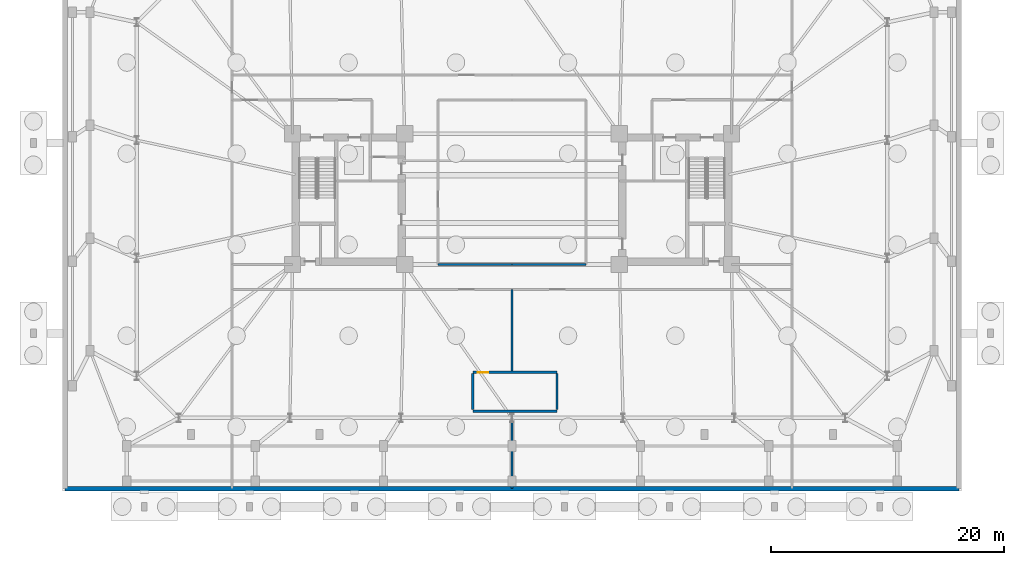
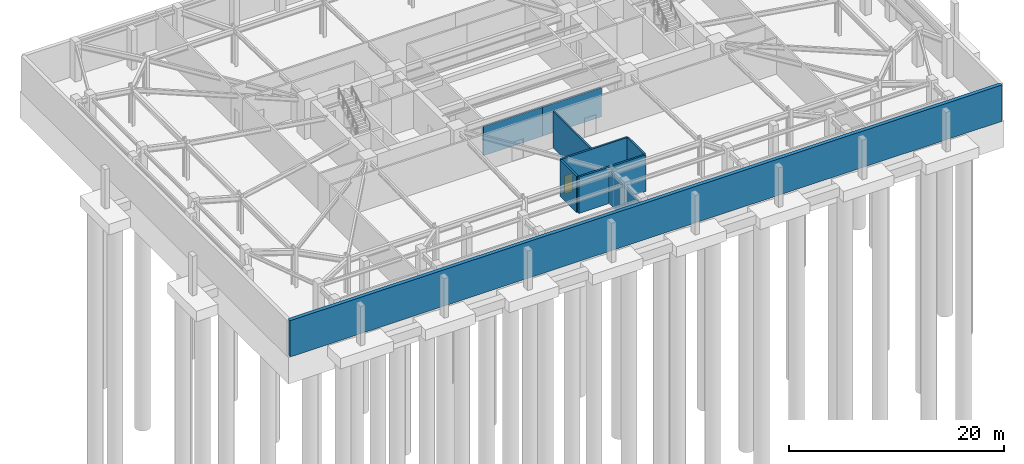
# One storey, part 9 of 15: 9 walls, 1 door, 1 opening.
"""IFC4 building model written with IfcOpenShell, lengths in metres."""

from ifc_helpers import new_model, si_unit, direction, frame, frame_2d, origin, place, context, subcontext, project, spatial, rectangle, extrude, material, layer, layer_set, type_object, element, fill, save


model = new_model("IFC4")

# Units and contexts
model_context = context("Model", 3, precision=1e-05, world=origin(), true_north=direction((0.0, 1.0)))
body_context = subcontext(model_context, "Body", "Model", "MODEL_VIEW")
ifc_project = project(units=[si_unit("LENGTHUNIT", "METRE"), si_unit("AREAUNIT", "SQUARE_METRE"), si_unit("VOLUMEUNIT", "CUBIC_METRE"), si_unit("PLANEANGLEUNIT", "RADIAN"), si_unit("MASSUNIT", "GRAM", prefix="KILO")], contexts=[model_context])

# Site, building, storey
site_placement = place(None, origin())
site = spatial("IfcSite", under=ifc_project, at=site_placement, CompositionType="ELEMENT")
building_placement = place(site_placement, origin())
building = spatial("IfcBuilding", under=site, at=building_placement, Name="Qobustan Lattice House", CompositionType="ELEMENT")
storey_placement = place(building_placement, frame((0.0, 0.0, -9.0)))
storey = spatial("IfcBuildingStorey", under=building, at=storey_placement, Name="B02", CompositionType="ELEMENT", Elevation=-9.0)

# Walls
ifc_material_1 = material(Name="Gypsum fireboard acoustic partition", Category="gypsum")
ifc_layer_1 = layer(ifc_material_1, 0.179931640625)
ifc_layer_set_1 = layer_set([ifc_layer_1], Name="Gypsum fireboard acoustic partition")
wall_type_1 = type_object("IfcWallType", Name="WAL-FIRE-180", PredefinedType="PARTITIONING", material=ifc_layer_set_1)
for number, where, z_axis, x_axis, name in (
    (1, (-6.35009765625, -5.60009765625, 0.0), (0.0, 0.0, 1.0), (1.0, 0.0, 0.0), "B02 interior partition 30"),
    (2, (0.0, -5.60009765625, 0.0), (0.0, 0.0, 1.0), (1.0, 0.0, 0.0), "B02 interior partition 33"),
):
    element("IfcWall", number, at=place(storey_placement, frame(where, z_axis=z_axis, x_axis=x_axis)), inside=storey, type_object=wall_type_1, Name=name, PredefinedType="PARTITIONING", context=body_context, shape_type="SweptSolid", body=[
        extrude(rectangle(XDim=6.35009765625, YDim=0.179931640625, at=frame_2d((3.175048828125, 0.0))), origin(), (0.0, 0.0, 1.0), 3.31103515625),
    ])
wall_1_placement = place(storey_placement, frame((0.0, -7.75, 0.0), z_axis=(0.0, 0.0, 1.0), x_axis=(0.0, -1.0, 0.0)))
element("IfcWall", 3, at=wall_1_placement, inside=storey, type_object=wall_type_1, Name="B02 interior partition 41", PredefinedType="PARTITIONING", context=body_context, shape_type="SweptSolid", body=[
    extrude(rectangle(XDim=6.989990234375, YDim=0.179931640625, at=frame_2d((3.4951171875, 0.0))), origin(), (0.0, 0.0, 1.0), 4.139892578125),
])
wall_2_placement = place(storey_placement, frame((0.0, -18.260009765625, 0.0), z_axis=(0.0, 0.0, 1.0), x_axis=(0.0, -1.0, 0.0)))
element("IfcWall", 4, at=wall_2_placement, inside=storey, type_object=wall_type_1, Name="B02 interior partition 42", PredefinedType="PARTITIONING", context=body_context, shape_type="SweptSolid", body=[
    extrude(rectangle(XDim=6.5400390625, YDim=0.179931640625, at=frame_2d((3.27001953125, 0.0))), origin(), (0.0, 0.0, 1.0), 3.52490234375),
])

# Wall, opening, door
ifc_material_2 = material(Name="Concrete C40/50", Category="concrete")
ifc_layer_2 = layer(ifc_material_2, 0.199951171875)
ifc_layer_set_2 = layer_set([ifc_layer_2], Name="Concrete C40/50")
wall_type_2 = type_object("IfcWallType", Name="WAL-SHAFT-LB-200", PredefinedType="SHEAR", material=ifc_layer_set_2)
wall_3_placement = place(storey_placement, frame((-3.360107421875, -14.840087890625, 0.0), z_axis=(0.0, 0.0, 1.0), x_axis=(1.0, 0.0, 0.0)))
wall_3 = element("IfcWall", 5, at=wall_3_placement, inside=storey, type_object=wall_type_2, Name="B02 podium stair ST-P1 RC shaft wall STP-N", PredefinedType="SHEAR", context=body_context, shape_type="SweptSolid", body=[
    extrude(rectangle(XDim=7.22021484375, YDim=0.199951171875, at=frame_2d((3.610107421875, 0.0))), origin(), (0.0, 0.0, 1.0), 4.139892578125),
])
opening_placement = place(wall_3_placement, frame((0.409912109375, 0.0, 0.0)))
opening = element("IfcOpeningElement", 6, at=opening_placement, cuts=wall_3, Name="Opening RD-01", PredefinedType="OPENING", context=body_context, shape_type="SweptSolid", body=[
    extrude(rectangle(XDim=0.89990234375, YDim=2.10009765625, at=frame_2d((0.449951171875, 1.050048828125))), frame((0.0, 0.10986328125, 0.0), z_axis=(0.0, -1.0, 0.0), x_axis=(1.0, 0.0, 0.0)), (0.0, 0.0, 1.0), 0.219970703125),
])
ifc_material_3 = material(Name="Persian walnut timber and steel frame door", Category="steel")
door_type = type_object("IfcDoorType", Name="DOR-RISER-FD-900x2100", OperationType="NOTDEFINED", PredefinedType="DOOR", material=ifc_material_3)
door_placement = place(opening_placement, origin())
door = element("IfcDoor", 7, at=door_placement, inside=storey, type_object=door_type, Name="B02 podium stair ST-P1 fire door", OperationType="SINGLE_SWING_RIGHT", OverallHeight=2.10009765625, OverallWidth=0.89990234375, PredefinedType="DOOR", context=body_context, shape_type="SweptSolid", body=[
    extrude(rectangle(XDim=0.89990234375, YDim=2.10009765625, at=frame_2d((0.449951171875, 1.050048828125))), frame((0.0, 0.02490234375, 0.0), z_axis=(0.0, -1.0, 0.0), x_axis=(1.0, 0.0, 0.0)), (0.0, 0.0, 1.0), 0.050048828125),
])
fill(opening, door)

# Walls
wall_4_placement = place(storey_placement, frame((-3.360107421875, -18.159912109375, 0.0), z_axis=(0.0, 0.0, 1.0), x_axis=(1.0, 0.0, 0.0)))
element("IfcWall", 8, at=wall_4_placement, inside=storey, type_object=wall_type_2, Name="B02 podium stair ST-P1 RC shaft wall STP-S", PredefinedType="SHEAR", context=body_context, shape_type="SweptSolid", body=[
    extrude(rectangle(XDim=7.22021484375, YDim=0.199951171875, at=frame_2d((3.610107421875, 0.0))), origin(), (0.0, 0.0, 1.0), 4.139892578125),
])
for number, where, z_axis, x_axis, name in (
    (9, (-3.360107421875, -18.0400390625, 0.0), (0.0, 0.0, 1.0), (0.0, 1.0, 0.0), "B02 podium stair ST-P1 RC shaft wall STP-W"),
    (10, (3.860107421875, -18.0400390625, 0.0), (0.0, 0.0, 1.0), (0.0, 1.0, 0.0), "B02 podium stair ST-P1 RC shaft wall STP-E"),
):
    element("IfcWall", number, at=place(storey_placement, frame(where, z_axis=z_axis, x_axis=x_axis)), inside=storey, type_object=wall_type_2, Name=name, PredefinedType="SHEAR", context=body_context, shape_type="SweptSolid", body=[
        extrude(rectangle(XDim=3.080078125, YDim=0.199951171875, at=frame_2d((1.5400390625, 0.0))), origin(), (0.0, 0.0, 1.0), 4.139892578125),
    ])
ifc_material_4 = material(Name="Concrete C50/60", Category="concrete")
ifc_layer_3 = layer(ifc_material_4, 0.39990234375)
ifc_layer_set_3 = layer_set([ifc_layer_3], Name="Concrete C50/60")
wall_type_3 = type_object("IfcWallType", Name="WAL-SUB-RET-400", PredefinedType="SOLIDWALL", material=ifc_layer_set_3)
wall_5_placement = place(storey_placement, frame((38.300048828125, -24.800048828125, 0.0), z_axis=(0.0, 0.0, 1.0), x_axis=(-1.0, 0.0, 0.0)))
element("IfcWall", 11, at=wall_5_placement, inside=storey, type_object=wall_type_3, Name="B02 substructure retaining wall 4", PredefinedType="SOLIDWALL", context=body_context, shape_type="SweptSolid", body=[
    extrude(rectangle(XDim=76.60009765625, YDim=0.39990234375, at=frame_2d((38.300048828125, 0.0))), origin(), (0.0, 0.0, 1.0), 4.139892578125),
])

save(model, "model.ifc")
